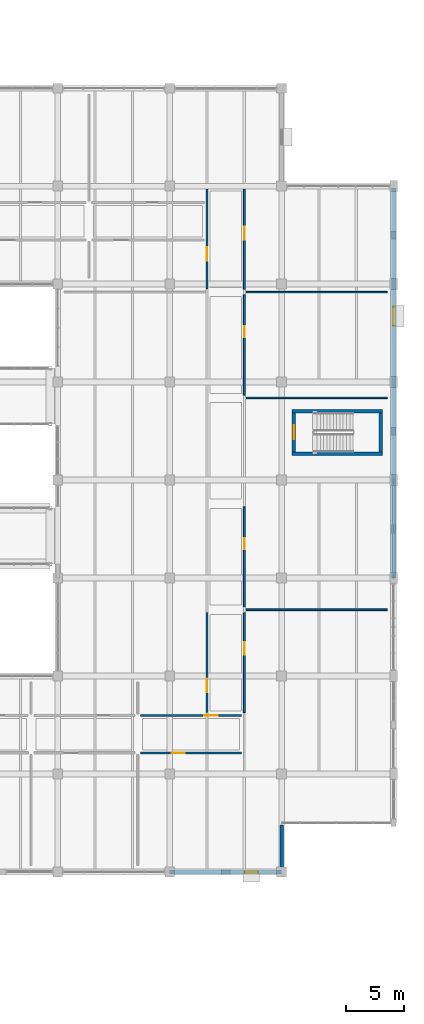
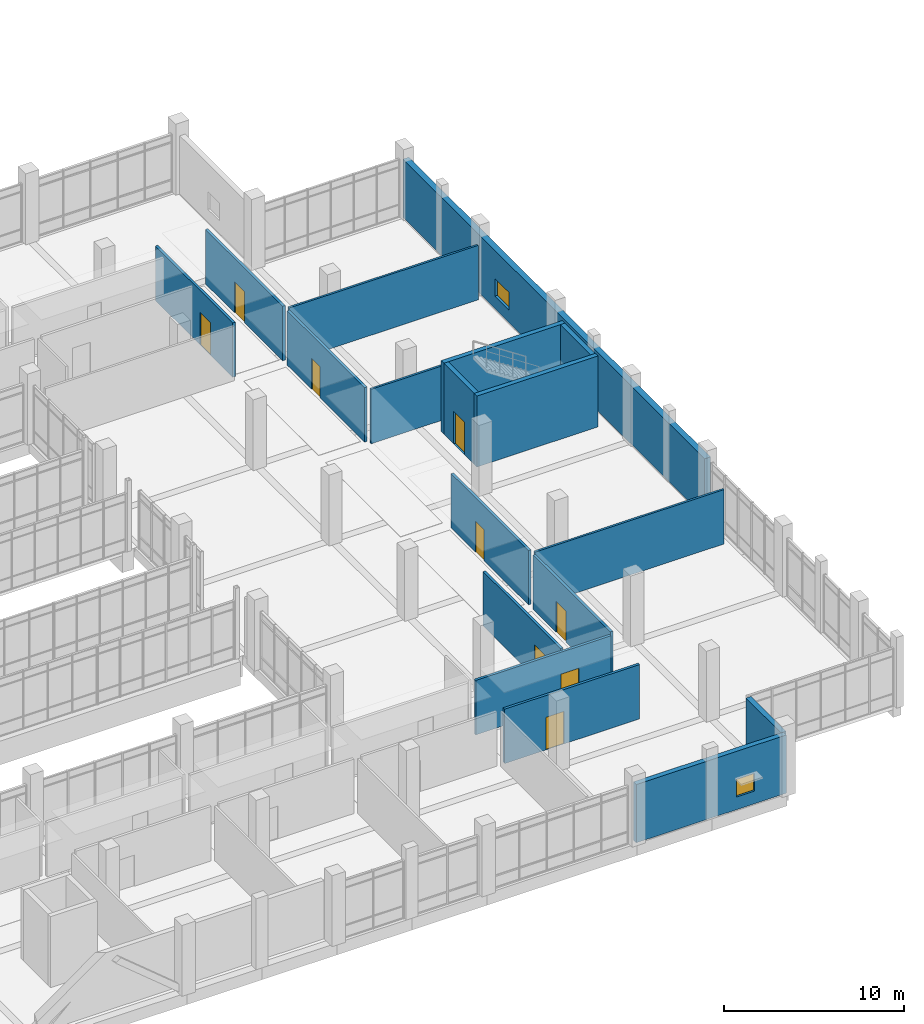
# One storey, part 129 of 152: 18 walls, 9 doors, 2 windows, 11 openings.
"""IFC4 building model written with IfcOpenShell, lengths in metres."""

from ifc_helpers import new_model, si_unit, direction, frame, frame_2d, origin, place, context, subcontext, project, spatial, rectangle, extrude, material, layer, layer_set, type_object, element, fill, save


model = new_model("IFC4")

# Units and contexts
model_context = context("Model", 3, precision=1e-05, world=origin(), true_north=direction((0.0, 1.0)))
body_context = subcontext(model_context, "Body", "Model", "MODEL_VIEW")
ifc_project = project(units=[si_unit("LENGTHUNIT", "METRE"), si_unit("AREAUNIT", "SQUARE_METRE"), si_unit("VOLUMEUNIT", "CUBIC_METRE"), si_unit("PLANEANGLEUNIT", "RADIAN"), si_unit("MASSUNIT", "GRAM", prefix="KILO")], contexts=[model_context])

# Site, building, storey
site_placement = place(None, origin())
site = spatial("IfcSite", under=ifc_project, at=site_placement, CompositionType="ELEMENT")
building_placement = place(site_placement, origin())
building = spatial("IfcBuilding", under=site, at=building_placement, Name="Oolite Switchyard Hospital", CompositionType="ELEMENT")
storey_placement = place(building_placement, frame((0.0, 0.0, 5.10009765625)))
storey = spatial("IfcBuildingStorey", under=building, at=storey_placement, Name="L01", CompositionType="ELEMENT", Elevation=5.10009765625)

# Wall, opening, window
ifc_material_1 = material(Name="Precast oolitic limestone architectural concrete C40/50", Category="masonry")
ifc_layer_1 = layer(ifc_material_1, 0.320068359375)
ifc_layer_set_1 = layer_set([ifc_layer_1], Name="WAL-EXT-320")
wall_type_1 = type_object("IfcWallType", Name="WAL-EXT-320", PredefinedType="SOLIDWALL", material=ifc_layer_set_1)
wall_1_placement = place(storey_placement, frame((201.60009765625, 8.39990234375, 0.0), z_axis=(0.0, 0.0, 1.0), x_axis=(-1.0, 0.0, 0.0)))
wall_1 = element("IfcWall", 1, at=wall_1_placement, inside=storey, type_object=wall_type_1, Name="L01 Exterior Spandrel Wall 79", PredefinedType="SOLIDWALL", context=body_context, shape_type="SweptSolid", body=[
    extrude(rectangle(XDim=9.60009765625, YDim=0.320068359375, at=frame_2d((4.800048828125, 0.0))), origin(), (0.0, 0.0, 1.0), 3.93994140625),
])
opening_1_placement = place(wall_1_placement, frame((2.028076171875, 0.0, 0.85009765625)))
opening_1 = element("IfcOpeningElement", 2, at=opening_1_placement, cuts=wall_1, Name="Opening WN-0024", PredefinedType="OPENING", context=body_context, shape_type="SweptSolid", body=[
    extrude(rectangle(XDim=1.14990234375, YDim=1.199951171875, at=frame_2d((0.574951171875, 0.60009765625))), frame((0.0, 0.169921875, 0.0), z_axis=(0.0, -1.0, 0.0), x_axis=(1.0, 0.0, 0.0)), (0.0, 0.0, 1.0), 0.340087890625),
])
ifc_material_2 = material(Name="Thermally broken aluminum frame with laminated impact glazing", Category="aluminium")
window_type_1 = type_object("IfcWindowType", Name="WIN-IMP-115X120", PartitioningType="SINGLE_PANEL", PredefinedType="WINDOW", material=ifc_material_2)
window_1_placement = place(opening_1_placement, origin())
window_1 = element("IfcWindow", 3, at=window_1_placement, inside=storey, type_object=window_type_1, Name="L01 Hurricane Impact Window WN-0024", OverallHeight=1.199951171875, OverallWidth=1.14990234375, PartitioningType="SINGLE_PANEL", PredefinedType="WINDOW", context=body_context, shape_type="SweptSolid", body=[
    extrude(rectangle(XDim=1.14990234375, YDim=1.199951171875, at=frame_2d((0.574951171875, 0.60009765625))), frame((0.0, 0.030029296875, 0.0), z_axis=(0.0, -1.0, 0.0), x_axis=(1.0, 0.0, 0.0)), (0.0, 0.0, 1.0), 0.06005859375),
])
fill(opening_1, window_1)

# Wall
wall_2_placement = place(storey_placement, frame((201.60009765625, 12.43994140625, 0.0), z_axis=(0.0, 0.0, 1.0), x_axis=(0.0, -1.0, 0.0)))
element("IfcWall", 4, at=wall_2_placement, inside=storey, type_object=wall_type_1, Name="L01 Exterior Spandrel Wall 121", PredefinedType="SOLIDWALL", context=body_context, shape_type="SweptSolid", body=[
    extrude(rectangle(XDim=3.8798828125, YDim=0.320068359375, at=frame_2d((1.93994140625, 0.0))), origin(), (0.0, 0.0, 1.0), 3.93994140625),
])

# Wall, opening, window
ifc_layer_2 = layer(ifc_material_1, 0.3798828125)
ifc_layer_set_2 = layer_set([ifc_layer_2], Name="WAL-EXT-380")
wall_type_2 = type_object("IfcWallType", Name="WAL-EXT-380", PredefinedType="SOLIDWALL", material=ifc_layer_set_2)
wall_3_placement = place(storey_placement, frame((211.199951171875, 67.0400390625, 0.0), z_axis=(0.0, 0.0, 1.0), x_axis=(0.0, -1.0, 0.0)))
wall_3 = element("IfcWall", 5, at=wall_3_placement, inside=storey, type_object=wall_type_2, Name="L01 Exterior Spandrel Wall 124", PredefinedType="SOLIDWALL", context=body_context, shape_type="SweptSolid", body=[
    extrude(rectangle(XDim=33.43994140625, YDim=0.3798828125, at=frame_2d((16.719970703125, 0.0))), origin(), (0.0, 0.0, 1.0), 3.93994140625),
])
opening_2_placement = place(wall_3_placement, frame((10.18896484375, 0.0, 0.85009765625)))
opening_2 = element("IfcOpeningElement", 6, at=opening_2_placement, cuts=wall_3, Name="Opening WN-0044", PredefinedType="OPENING", context=body_context, shape_type="SweptSolid", body=[
    extrude(rectangle(XDim=1.60009765625, YDim=1.199951171875, at=frame_2d((0.800048828125, 0.60009765625))), frame((0.0, 0.199951171875, 0.0), z_axis=(0.0, -1.0, 0.0), x_axis=(1.0, 0.0, 0.0)), (0.0, 0.0, 1.0), 0.39990234375),
])
window_type_2 = type_object("IfcWindowType", Name="WIN-IMP-160X120", PartitioningType="SINGLE_PANEL", PredefinedType="WINDOW", material=ifc_material_2)
window_2_placement = place(opening_2_placement, origin())
window_2 = element("IfcWindow", 7, at=window_2_placement, inside=storey, type_object=window_type_2, Name="L01 Hurricane Impact Window WN-0044", OverallHeight=1.199951171875, OverallWidth=1.60009765625, PartitioningType="SINGLE_PANEL", PredefinedType="WINDOW", context=body_context, shape_type="SweptSolid", body=[
    extrude(rectangle(XDim=1.60009765625, YDim=1.199951171875, at=frame_2d((0.800048828125, 0.60009765625))), frame((0.0, 0.030029296875, 0.0), z_axis=(0.0, -1.0, 0.0), x_axis=(1.0, 0.0, 0.0)), (0.0, 0.0, 1.0), 0.06005859375),
])
fill(opening_2, window_2)

# Walls
ifc_material_3 = material(Name="Moisture-resistant gypsum board on steel studs", Category="steel")
ifc_layer_3 = layer(ifc_material_3, 0.135009765625)
ifc_layer_set_3 = layer_set([ifc_layer_3], Name="WAL-PART-135")
wall_type_3 = type_object("IfcWallType", Name="WAL-PART-135", PredefinedType="PARTITIONING", material=ifc_layer_set_3)
for number, where, z_axis, x_axis, name in (
    (8, (198.550048828125, 30.8798828125, 0.0), (0.0, 0.0, 1.0), (1.0, 0.0, 0.0), "L01 Interior Partition 380"),
    (9, (198.550048828125, 49.0400390625, 0.0), (0.0, 0.0, 1.0), (1.0, 0.0, 0.0), "L01 Interior Partition 382"),
    (10, (198.550048828125, 58.1201171875, 0.0), (0.0, 0.0, 1.0), (1.0, 0.0, 0.0), "L01 Interior Partition 386"),
):
    element("IfcWall", number, at=place(storey_placement, frame(where, z_axis=z_axis, x_axis=x_axis)), inside=storey, type_object=wall_type_3, Name=name, PredefinedType="PARTITIONING", context=body_context, shape_type="SweptSolid", body=[
        extrude(rectangle(XDim=12.099853515625, YDim=0.135009765625, at=frame_2d((6.0498046875, 0.0))), origin(), (0.0, 0.0, 1.0), 3.679931640625),
    ])

# Wall, opening, door
ifc_layer_4 = layer(ifc_material_3, 0.1650390625)
ifc_layer_set_4 = layer_set([ifc_layer_4], Name="WAL-PART-165")
wall_type_4 = type_object("IfcWallType", Name="WAL-PART-165", PredefinedType="PARTITIONING", material=ifc_layer_set_4)
wall_4_placement = place(storey_placement, frame((189.508056640625, 18.60009765625, 0.0), z_axis=(0.0, 0.0, 1.0), x_axis=(1.0, 0.0, 0.0)))
wall_4 = element("IfcWall", 11, at=wall_4_placement, inside=storey, type_object=wall_type_4, Name="L01 Interior Partition 373", PredefinedType="PARTITIONING", context=body_context, shape_type="SweptSolid", body=[
    extrude(rectangle(XDim=8.642822265625, YDim=0.1650390625, at=frame_2d((4.3212890625, 0.0))), origin(), (0.0, 0.0, 1.0), 3.679931640625),
])
opening_3_placement = place(wall_4_placement, frame((2.64990234375, 0.0, 0.0)))
opening_3 = element("IfcOpeningElement", 12, at=opening_3_placement, cuts=wall_4, Name="Opening D-0213", PredefinedType="OPENING", context=body_context, shape_type="SweptSolid", body=[
    extrude(rectangle(XDim=1.14990234375, YDim=2.199951171875, at=frame_2d((0.574951171875, 1.10009765625))), frame((0.0, 0.092529296875, 0.0), z_axis=(0.0, -1.0, 0.0), x_axis=(1.0, 0.0, 0.0)), (0.0, 0.0, 1.0), 0.18505859375),
])
ifc_material_4 = material(Name="Solid-core antimicrobial hardwood leaf in steel frame", Category="steel")
door_type_1 = type_object("IfcDoorType", Name="DR-CLIN-115X220", OperationType="NOTDEFINED", PredefinedType="DOOR", material=ifc_material_4)
door_1_placement = place(opening_3_placement, origin())
door_1 = element("IfcDoor", 13, at=door_1_placement, inside=storey, type_object=door_type_1, Name="L01 Interior Door D-0213", OperationType="SINGLE_SWING_LEFT", OverallHeight=2.199951171875, OverallWidth=1.14990234375, PredefinedType="DOOR", context=body_context, shape_type="SweptSolid", body=[
    extrude(rectangle(XDim=1.14990234375, YDim=2.199951171875, at=frame_2d((0.574951171875, 1.10009765625))), frame((0.0, 0.02490234375, 0.0), z_axis=(0.0, -1.0, 0.0), x_axis=(1.0, 0.0, 0.0)), (0.0, 0.0, 1.0), 0.050048828125),
])
fill(opening_3, door_1)

wall_5_placement = place(storey_placement, frame((189.508056640625, 21.800048828125, 0.0), z_axis=(0.0, 0.0, 1.0), x_axis=(1.0, 0.0, 0.0)))
wall_5 = element("IfcWall", 14, at=wall_5_placement, inside=storey, type_object=wall_type_4, Name="L01 Interior Partition 375", PredefinedType="PARTITIONING", context=body_context, shape_type="SweptSolid", body=[
    extrude(rectangle(XDim=8.642822265625, YDim=0.1650390625, at=frame_2d((4.3212890625, 0.0))), origin(), (0.0, 0.0, 1.0), 3.679931640625),
])
opening_4_placement = place(wall_5_placement, frame((5.449951171875, 0.0, 0.0)))
opening_4 = element("IfcOpeningElement", 15, at=opening_4_placement, cuts=wall_5, Name="Opening D-0214", PredefinedType="OPENING", context=body_context, shape_type="SweptSolid", body=[
    extrude(rectangle(XDim=1.14990234375, YDim=2.199951171875, at=frame_2d((0.574951171875, 1.10009765625))), frame((0.0, 0.092529296875, 0.0), z_axis=(0.0, -1.0, 0.0), x_axis=(1.0, 0.0, 0.0)), (0.0, 0.0, 1.0), 0.18505859375),
])
door_2_placement = place(opening_4_placement, origin())
door_2 = element("IfcDoor", 16, at=door_2_placement, inside=storey, type_object=door_type_1, Name="L01 Interior Door D-0214", OperationType="SINGLE_SWING_RIGHT", OverallHeight=2.199951171875, OverallWidth=1.14990234375, PredefinedType="DOOR", context=body_context, shape_type="SweptSolid", body=[
    extrude(rectangle(XDim=1.14990234375, YDim=2.199951171875, at=frame_2d((0.574951171875, 1.10009765625))), frame((0.0, 0.02490234375, 0.0), z_axis=(0.0, -1.0, 0.0), x_axis=(1.0, 0.0, 0.0)), (0.0, 0.0, 1.0), 0.050048828125),
])
fill(opening_4, door_2)

wall_6_placement = place(storey_placement, frame((195.199951171875, 22.050048828125, 0.0), z_axis=(0.0, 0.0, 1.0), x_axis=(0.0, 1.0, 0.0)))
wall_6 = element("IfcWall", 17, at=wall_6_placement, inside=storey, type_object=wall_type_4, Name="L01 Interior Partition 377", PredefinedType="PARTITIONING", context=body_context, shape_type="SweptSolid", body=[
    extrude(rectangle(XDim=8.579833984375, YDim=0.1650390625, at=frame_2d((4.2900390625, 0.0))), origin(), (0.0, 0.0, 1.0), 3.679931640625),
])
opening_5_placement = place(wall_6_placement, frame((1.75, 0.0, 0.0)))
opening_5 = element("IfcOpeningElement", 18, at=opening_5_placement, cuts=wall_6, Name="Opening D-0215", PredefinedType="OPENING", context=body_context, shape_type="SweptSolid", body=[
    extrude(rectangle(XDim=1.14990234375, YDim=2.199951171875, at=frame_2d((0.574951171875, 1.10009765625))), frame((0.0, 0.092529296875, 0.0), z_axis=(0.0, -1.0, 0.0), x_axis=(1.0, 0.0, 0.0)), (0.0, 0.0, 1.0), 0.18505859375),
])
door_3_placement = place(opening_5_placement, origin())
door_3 = element("IfcDoor", 19, at=door_3_placement, inside=storey, type_object=door_type_1, Name="L01 Interior Door D-0215", OperationType="SINGLE_SWING_LEFT", OverallHeight=2.199951171875, OverallWidth=1.14990234375, PredefinedType="DOOR", context=body_context, shape_type="SweptSolid", body=[
    extrude(rectangle(XDim=1.14990234375, YDim=2.199951171875, at=frame_2d((0.574951171875, 1.10009765625))), frame((0.0, 0.02490234375, 0.0), z_axis=(0.0, -1.0, 0.0), x_axis=(1.0, 0.0, 0.0)), (0.0, 0.0, 1.0), 0.050048828125),
])
fill(opening_5, door_3)

wall_7_placement = place(storey_placement, frame((198.39990234375, 22.050048828125, 0.0), z_axis=(0.0, 0.0, 1.0), x_axis=(0.0, 1.0, 0.0)))
wall_7 = element("IfcWall", 20, at=wall_7_placement, inside=storey, type_object=wall_type_4, Name="L01 Interior Partition 378", PredefinedType="PARTITIONING", context=body_context, shape_type="SweptSolid", body=[
    extrude(rectangle(XDim=8.579833984375, YDim=0.1650390625, at=frame_2d((4.2900390625, 0.0))), origin(), (0.0, 0.0, 1.0), 3.679931640625),
])
opening_6_placement = place(wall_7_placement, frame((4.949951171875, 0.0, 0.0)))
opening_6 = element("IfcOpeningElement", 21, at=opening_6_placement, cuts=wall_7, Name="Opening D-0216", PredefinedType="OPENING", context=body_context, shape_type="SweptSolid", body=[
    extrude(rectangle(XDim=1.10009765625, YDim=2.10009765625, at=frame_2d((0.550048828125, 1.050048828125))), frame((0.0, 0.092529296875, 0.0), z_axis=(0.0, -1.0, 0.0), x_axis=(1.0, 0.0, 0.0)), (0.0, 0.0, 1.0), 0.18505859375),
])
door_type_2 = type_object("IfcDoorType", Name="DR-CLIN-110X210", OperationType="NOTDEFINED", PredefinedType="DOOR", material=ifc_material_4)
door_4_placement = place(opening_6_placement, origin())
door_4 = element("IfcDoor", 22, at=door_4_placement, inside=storey, type_object=door_type_2, Name="L01 Interior Door D-0216", OperationType="SINGLE_SWING_RIGHT", OverallHeight=2.10009765625, OverallWidth=1.10009765625, PredefinedType="DOOR", context=body_context, shape_type="SweptSolid", body=[
    extrude(rectangle(XDim=1.10009765625, YDim=2.10009765625, at=frame_2d((0.550048828125, 1.050048828125))), frame((0.0, 0.02490234375, 0.0), z_axis=(0.0, -1.0, 0.0), x_axis=(1.0, 0.0, 0.0)), (0.0, 0.0, 1.0), 0.050048828125),
])
fill(opening_6, door_4)

wall_8_placement = place(storey_placement, frame((198.39990234375, 31.1298828125, 0.0), z_axis=(0.0, 0.0, 1.0), x_axis=(0.0, 1.0, 0.0)))
wall_8 = element("IfcWall", 23, at=wall_8_placement, inside=storey, type_object=wall_type_4, Name="L01 Interior Partition 379", PredefinedType="PARTITIONING", context=body_context, shape_type="SweptSolid", body=[
    extrude(rectangle(XDim=8.580078125, YDim=0.1650390625, at=frame_2d((4.2900390625, 0.0))), origin(), (0.0, 0.0, 1.0), 3.679931640625),
])
opening_7_placement = place(wall_8_placement, frame((4.949951171875, 0.0, 0.0)))
opening_7 = element("IfcOpeningElement", 24, at=opening_7_placement, cuts=wall_8, Name="Opening D-0217", PredefinedType="OPENING", context=body_context, shape_type="SweptSolid", body=[
    extrude(rectangle(XDim=0.949951171875, YDim=2.10009765625, at=frame_2d((0.47509765625, 1.050048828125))), frame((0.0, 0.092529296875, 0.0), z_axis=(0.0, -1.0, 0.0), x_axis=(1.0, 0.0, 0.0)), (0.0, 0.0, 1.0), 0.18505859375),
])
door_type_3 = type_object("IfcDoorType", Name="DR-BATH-095X210", OperationType="NOTDEFINED", PredefinedType="DOOR", material=ifc_material_4)
door_5_placement = place(opening_7_placement, origin())
door_5 = element("IfcDoor", 25, at=door_5_placement, inside=storey, type_object=door_type_3, Name="L01 Interior Door D-0217", OperationType="SINGLE_SWING_LEFT", OverallHeight=2.10009765625, OverallWidth=0.949951171875, PredefinedType="DOOR", context=body_context, shape_type="SweptSolid", body=[
    extrude(rectangle(XDim=0.949951171875, YDim=2.10009765625, at=frame_2d((0.47509765625, 1.050048828125))), frame((0.0, 0.02490234375, 0.0), z_axis=(0.0, -1.0, 0.0), x_axis=(1.0, 0.0, 0.0)), (0.0, 0.0, 1.0), 0.050048828125),
])
fill(opening_7, door_5)

wall_9_placement = place(storey_placement, frame((198.39990234375, 49.2900390625, 0.0), z_axis=(0.0, 0.0, 1.0), x_axis=(0.0, 1.0, 0.0)))
wall_9 = element("IfcWall", 26, at=wall_9_placement, inside=storey, type_object=wall_type_4, Name="L01 Interior Partition 381", PredefinedType="PARTITIONING", context=body_context, shape_type="SweptSolid", body=[
    extrude(rectangle(XDim=8.580078125, YDim=0.1650390625, at=frame_2d((4.2900390625, 0.0))), origin(), (0.0, 0.0, 1.0), 3.679931640625),
])
opening_8_placement = place(wall_9_placement, frame((4.949951171875, 0.0, 0.0)))
opening_8 = element("IfcOpeningElement", 27, at=opening_8_placement, cuts=wall_9, Name="Opening D-0218", PredefinedType="OPENING", context=body_context, shape_type="SweptSolid", body=[
    extrude(rectangle(XDim=0.949951171875, YDim=2.10009765625, at=frame_2d((0.47509765625, 1.050048828125))), frame((0.0, 0.092529296875, 0.0), z_axis=(0.0, -1.0, 0.0), x_axis=(1.0, 0.0, 0.0)), (0.0, 0.0, 1.0), 0.18505859375),
])
door_6_placement = place(opening_8_placement, origin())
door_6 = element("IfcDoor", 28, at=door_6_placement, inside=storey, type_object=door_type_3, Name="L01 Interior Door D-0218", OperationType="SINGLE_SWING_LEFT", OverallHeight=2.10009765625, OverallWidth=0.949951171875, PredefinedType="DOOR", context=body_context, shape_type="SweptSolid", body=[
    extrude(rectangle(XDim=0.949951171875, YDim=2.10009765625, at=frame_2d((0.47509765625, 1.050048828125))), frame((0.0, 0.02490234375, 0.0), z_axis=(0.0, -1.0, 0.0), x_axis=(1.0, 0.0, 0.0)), (0.0, 0.0, 1.0), 0.050048828125),
])
fill(opening_8, door_6)

wall_10_placement = place(storey_placement, frame((195.199951171875, 58.3701171875, 0.0), z_axis=(0.0, 0.0, 1.0), x_axis=(0.0, 1.0, 0.0)))
wall_10 = element("IfcWall", 29, at=wall_10_placement, inside=storey, type_object=wall_type_4, Name="L01 Interior Partition 383", PredefinedType="PARTITIONING", context=body_context, shape_type="SweptSolid", body=[
    extrude(rectangle(XDim=8.579833984375, YDim=0.1650390625, at=frame_2d((4.2900390625, 0.0))), origin(), (0.0, 0.0, 1.0), 3.679931640625),
])
opening_9_placement = place(wall_10_placement, frame((2.449951171875, 0.0, 0.0)))
opening_9 = element("IfcOpeningElement", 30, at=opening_9_placement, cuts=wall_10, Name="Opening D-0219", PredefinedType="OPENING", context=body_context, shape_type="SweptSolid", body=[
    extrude(rectangle(XDim=1.14990234375, YDim=2.199951171875, at=frame_2d((0.574951171875, 1.10009765625))), frame((0.0, 0.092529296875, 0.0), z_axis=(0.0, -1.0, 0.0), x_axis=(1.0, 0.0, 0.0)), (0.0, 0.0, 1.0), 0.18505859375),
])
door_7_placement = place(opening_9_placement, origin())
door_7 = element("IfcDoor", 31, at=door_7_placement, inside=storey, type_object=door_type_1, Name="L01 Interior Door D-0219", OperationType="SINGLE_SWING_LEFT", OverallHeight=2.199951171875, OverallWidth=1.14990234375, PredefinedType="DOOR", context=body_context, shape_type="SweptSolid", body=[
    extrude(rectangle(XDim=1.14990234375, YDim=2.199951171875, at=frame_2d((0.574951171875, 1.10009765625))), frame((0.0, 0.02490234375, 0.0), z_axis=(0.0, -1.0, 0.0), x_axis=(1.0, 0.0, 0.0)), (0.0, 0.0, 1.0), 0.050048828125),
])
fill(opening_9, door_7)

wall_11_placement = place(storey_placement, frame((198.39990234375, 58.3701171875, 0.0), z_axis=(0.0, 0.0, 1.0), x_axis=(0.0, 1.0, 0.0)))
wall_11 = element("IfcWall", 32, at=wall_11_placement, inside=storey, type_object=wall_type_4, Name="L01 Interior Partition 385", PredefinedType="PARTITIONING", context=body_context, shape_type="SweptSolid", body=[
    extrude(rectangle(XDim=8.579833984375, YDim=0.1650390625, at=frame_2d((4.2900390625, 0.0))), origin(), (0.0, 0.0, 1.0), 3.679931640625),
])
opening_10_placement = place(wall_11_placement, frame((4.25, 0.0, 0.0)))
opening_10 = element("IfcOpeningElement", 33, at=opening_10_placement, cuts=wall_11, Name="Opening D-0220", PredefinedType="OPENING", context=body_context, shape_type="SweptSolid", body=[
    extrude(rectangle(XDim=1.10009765625, YDim=2.10009765625, at=frame_2d((0.550048828125, 1.050048828125))), frame((0.0, 0.092529296875, 0.0), z_axis=(0.0, -1.0, 0.0), x_axis=(1.0, 0.0, 0.0)), (0.0, 0.0, 1.0), 0.18505859375),
])
door_8_placement = place(opening_10_placement, origin())
door_8 = element("IfcDoor", 34, at=door_8_placement, inside=storey, type_object=door_type_2, Name="L01 Interior Door D-0220", OperationType="SINGLE_SWING_RIGHT", OverallHeight=2.10009765625, OverallWidth=1.10009765625, PredefinedType="DOOR", context=body_context, shape_type="SweptSolid", body=[
    extrude(rectangle(XDim=1.10009765625, YDim=2.10009765625, at=frame_2d((0.550048828125, 1.050048828125))), frame((0.0, 0.02490234375, 0.0), z_axis=(0.0, -1.0, 0.0), x_axis=(1.0, 0.0, 0.0)), (0.0, 0.0, 1.0), 0.050048828125),
])
fill(opening_10, door_8)

# Walls
ifc_material_5 = material(Name="Concrete C50/60", Category="concrete")
ifc_layer_5 = layer(ifc_material_5, 0.300048828125)
ifc_layer_set_5 = layer_set([ifc_layer_5], Name="WAL-SHR-300")
wall_type_5 = type_object("IfcWallType", Name="WAL-SHR-300", PredefinedType="SHEAR", material=ifc_layer_set_5)
wall_12_placement = place(storey_placement, frame((202.5, 44.25, 0.0), z_axis=(0.0, 0.0, 1.0), x_axis=(1.0, 0.0, 0.0)))
element("IfcWall", 35, at=wall_12_placement, inside=storey, type_object=wall_type_5, Name="L01 Core Shear Wall ST-06", PredefinedType="SHEAR", context=body_context, shape_type="SweptSolid", body=[
    extrude(rectangle(XDim=7.75, YDim=0.300048828125, at=frame_2d((3.875, 0.0))), origin(), (0.0, 0.0, 1.0), 4.7998046875),
])
wall_13_placement = place(storey_placement, frame((210.10009765625, 44.39990234375, 0.0), z_axis=(0.0, 0.0, 1.0), x_axis=(0.0, 1.0, 0.0)))
element("IfcWall", 36, at=wall_13_placement, inside=storey, type_object=wall_type_5, Name="L01 Core Shear Wall ST-06", PredefinedType="SHEAR", context=body_context, shape_type="SweptSolid", body=[
    extrude(rectangle(XDim=3.360107421875, YDim=0.300048828125, at=frame_2d((1.68017578125, 0.0))), origin(), (0.0, 0.0, 1.0), 4.7998046875),
])
wall_14_placement = place(storey_placement, frame((210.25, 47.909912109375, 0.0), z_axis=(0.0, 0.0, 1.0), x_axis=(-1.0, 0.0, 0.0)))
element("IfcWall", 37, at=wall_14_placement, inside=storey, type_object=wall_type_5, Name="L01 Core Shear Wall ST-06", PredefinedType="SHEAR", context=body_context, shape_type="SweptSolid", body=[
    extrude(rectangle(XDim=7.75, YDim=0.300048828125, at=frame_2d((3.875, 0.0))), origin(), (0.0, 0.0, 1.0), 4.7998046875),
])

# Wall, opening, door
wall_15_placement = place(storey_placement, frame((202.64990234375, 47.760009765625, 0.0), z_axis=(0.0, 0.0, 1.0), x_axis=(0.0, -1.0, 0.0)))
wall_15 = element("IfcWall", 38, at=wall_15_placement, inside=storey, type_object=wall_type_5, Name="L01 Core Shear Wall ST-06", PredefinedType="SHEAR", context=body_context, shape_type="SweptSolid", body=[
    extrude(rectangle(XDim=3.360107421875, YDim=0.300048828125, at=frame_2d((1.68017578125, 0.0))), origin(), (0.0, 0.0, 1.0), 4.7998046875),
])
opening_11_placement = place(wall_15_placement, frame((1.080078125, 0.0, 0.0)))
opening_11 = element("IfcOpeningElement", 39, at=opening_11_placement, cuts=wall_15, Name="Opening SD-039", PredefinedType="OPENING", context=body_context, shape_type="SweptSolid", body=[
    extrude(rectangle(XDim=1.199951171875, YDim=2.199951171875, at=frame_2d((0.60009765625, 1.10009765625))), frame((0.0, 0.16015625, 0.0), z_axis=(0.0, -1.0, 0.0), x_axis=(1.0, 0.0, 0.0)), (0.0, 0.0, 1.0), 0.320068359375),
])
ifc_material_6 = material(Name="Hollow metal fire-rated steel door assembly", Category="steel")
door_type_4 = type_object("IfcDoorType", Name="DR-STR-120X220", OperationType="NOTDEFINED", PredefinedType="DOOR", material=ifc_material_6)
door_9_placement = place(opening_11_placement, origin())
door_9 = element("IfcDoor", 40, at=door_9_placement, inside=storey, type_object=door_type_4, Name="L01 ST-06 Exit Stair Door SD-039", OperationType="SINGLE_SWING_LEFT", OverallHeight=2.199951171875, OverallWidth=1.199951171875, PredefinedType="DOOR", context=body_context, shape_type="SweptSolid", body=[
    extrude(rectangle(XDim=1.199951171875, YDim=2.199951171875, at=frame_2d((0.60009765625, 1.10009765625))), frame((0.0, 0.02490234375, 0.0), z_axis=(0.0, -1.0, 0.0), x_axis=(1.0, 0.0, 0.0)), (0.0, 0.0, 1.0), 0.050048828125),
])
fill(opening_11, door_9)

save(model, "model.ifc")
